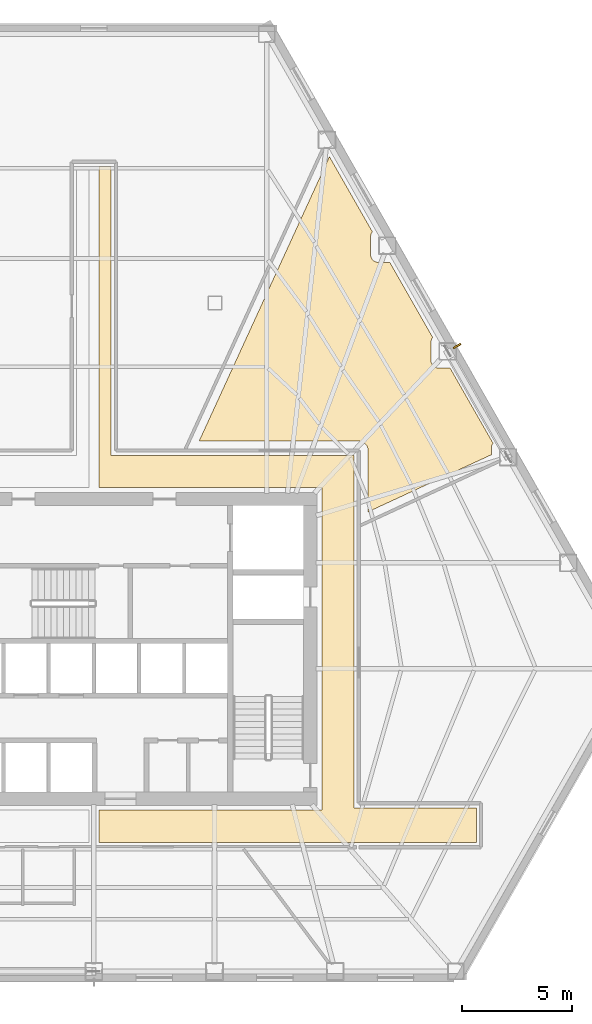
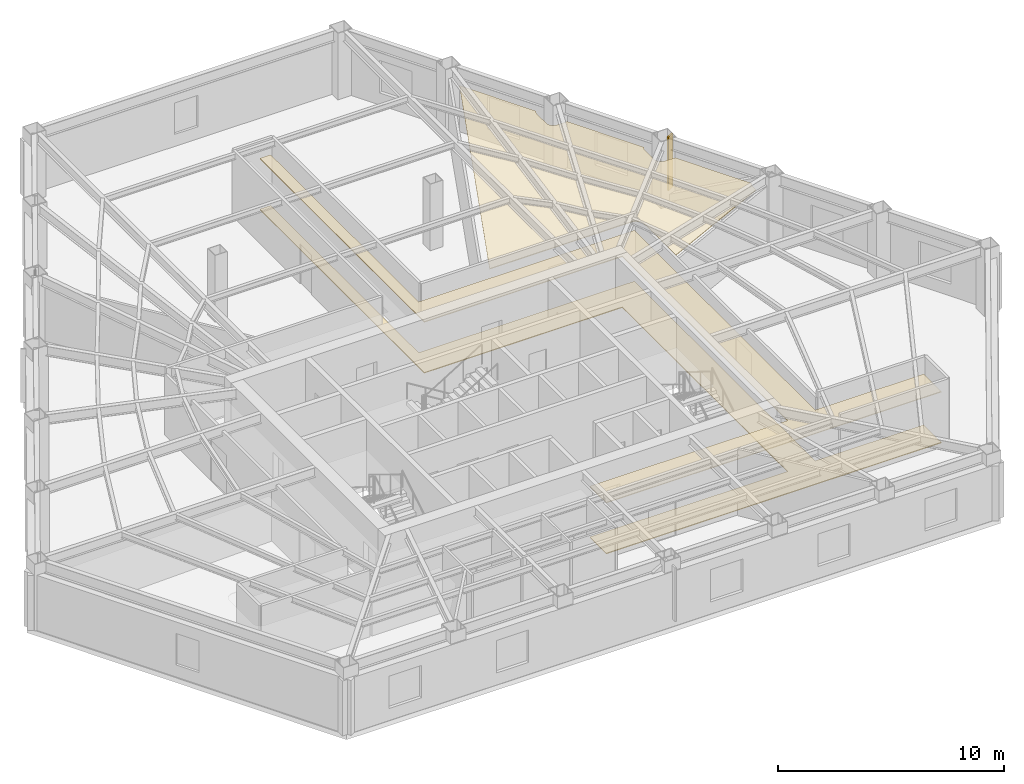
# One storey, part 11 of 11: 3 coverings, 1 shading device.
"""IFC4 building model written with IfcOpenShell, lengths in metres."""

from ifc_helpers import new_model, si_unit, direction, frame, origin, origin_2d, place, context, subcontext, project, spatial, polyline, rectangle, outline, extrude, material, layer, layer_set, type_object, element, save


model = new_model("IFC4")

# Units and contexts
model_context = context("Model", 3, precision=1e-05, world=origin(), true_north=direction((0.0, 1.0)))
body_context = subcontext(model_context, "Body", "Model", "MODEL_VIEW")
ifc_project = project(units=[si_unit("LENGTHUNIT", "METRE"), si_unit("AREAUNIT", "SQUARE_METRE"), si_unit("VOLUMEUNIT", "CUBIC_METRE"), si_unit("PLANEANGLEUNIT", "RADIAN"), si_unit("MASSUNIT", "GRAM", prefix="KILO")], contexts=[model_context])

# Site, building, storey
site_placement = place(None, origin())
site = spatial("IfcSite", under=ifc_project, at=site_placement, CompositionType="ELEMENT")
building_placement = place(site_placement, origin())
building = spatial("IfcBuilding", under=site, at=building_placement, Name="Kavelnor Concourse Tower", CompositionType="ELEMENT")
storey_placement = place(building_placement, frame((0.0, 0.0, 25.25)))
storey = spatial("IfcBuildingStorey", under=building, at=storey_placement, Name="L06", CompositionType="ELEMENT", Elevation=25.25)

# Coverings
ifc_material_1 = material(Name="Mineral fibre acoustic ceiling tile")
ifc_layer_1 = layer(ifc_material_1, 0.0400390625, Name="Mineral fibre acoustic ceiling tile")
ifc_layer_set_1 = layer_set([ifc_layer_1], Name="Mineral fibre acoustic ceiling tile")
covering_type_1 = type_object("IfcCoveringType", Name="COV-CEILING-ACOUSTIC", PredefinedType="CEILING", material=ifc_layer_set_1)
covering_1_placement = place(storey_placement, frame((0.0, 0.0, 2.75)))
element("IfcCovering", 1, at=covering_1_placement, inside=storey, type_object=covering_type_1, Name="L06 Suspended Acoustic Ceiling", PredefinedType="CEILING", context=body_context, shape_type="SweptSolid", body=[
    extrude(outline(polyline([(38.780029296875, 37.97998046875), (38.780029296875, 24.8798828125), (49.800048828125, 24.8798828125), (49.800048828125, 8.8798828125), (55.349609375, 8.8798828125), (55.349609375, 7.320068359375), (38.22509765625, 7.320068359375), (38.22509765625, 8.780029296875), (48.340087890625, 8.780029296875), (48.340087890625, 23.419921875), (38.22509765625, 23.419921875), (38.22509765625, 37.97998046875), (38.780029296875, 37.97998046875)])), origin(), (0.0, 0.0, 1.0), 0.0400390625),
])
covering_2_placement = place(storey_placement, frame((0.0, 0.0, 2.75)))
element("IfcCovering", 2, at=covering_2_placement, inside=storey, type_object=covering_type_1, Name="L06 Suspended Acoustic Ceiling", PredefinedType="CEILING", context=body_context, shape_type="SweptSolid", body=[
    extrude(outline(polyline([(50.44091796875, 25.1416015625), (50.434814453125, 25.1826171875), (50.4248046875, 25.222900390625), (50.41064453125, 25.26171875), (50.39306640625, 25.29931640625), (50.37158203125, 25.3349609375), (50.346923828125, 25.368408203125), (50.319091796875, 25.39892578125), (50.288330078125, 25.427001953125), (50.2548828125, 25.45166015625), (50.219482421875, 25.472900390625), (50.181884765625, 25.49072265625), (50.142822265625, 25.504638671875), (50.1025390625, 25.514892578125), (50.0615234375, 25.52099609375), (50.0283203125, 25.5224609375), (42.77294921875, 25.5224609375), (48.685791015625, 38.430419921875), (48.689208984375, 38.430419921875), (50.635498046875, 35.020263671875), (50.615966796875, 34.993896484375), (50.59765625, 34.963623046875), (50.58251953125, 34.931640625), (50.57080078125, 34.898193359375), (50.56201171875, 34.864013671875), (50.556884765625, 34.8291015625), (50.5556640625, 34.802001953125), (50.5556640625, 33.9853515625), (50.556884765625, 33.95849609375), (50.56201171875, 33.92333984375), (50.57080078125, 33.88916015625), (50.58251953125, 33.855712890625), (50.59765625, 33.82373046875), (50.615966796875, 33.79345703125), (50.636962890625, 33.76513671875), (50.660888671875, 33.739013671875), (50.68701171875, 33.715087890625), (50.71533203125, 33.694091796875), (50.74560546875, 33.67578125), (50.777587890625, 33.66064453125), (50.81103515625, 33.648681640625), (50.84521484375, 33.64013671875), (50.88037109375, 33.635009765625), (50.9072265625, 33.6337890625), (51.427001953125, 33.6337890625), (53.37353515625, 30.223388671875), (53.35400390625, 30.197021484375), (53.335693359375, 30.166748046875), (53.320556640625, 30.134765625), (53.30859375, 30.101318359375), (53.300048828125, 30.067138671875), (53.294921875, 30.031982421875), (53.293701171875, 30.005126953125), (53.293701171875, 29.1884765625), (53.294921875, 29.16162109375), (53.300048828125, 29.12646484375), (53.30859375, 29.09228515625), (53.320556640625, 29.058837890625), (53.335693359375, 29.02685546875), (53.35400390625, 28.99658203125), (53.375, 28.96826171875), (53.398681640625, 28.94189453125), (53.425048828125, 28.918212890625), (53.453369140625, 28.897216796875), (53.483642578125, 28.87890625), (53.515625, 28.86376953125), (53.549072265625, 28.851806640625), (53.583251953125, 28.84326171875), (53.618408203125, 28.838134765625), (53.645263671875, 28.8369140625), (54.164794921875, 28.8369140625), (56.111328125, 25.426513671875), (56.091796875, 25.400146484375), (56.073486328125, 25.369873046875), (56.05859375, 25.337890625), (56.046630859375, 25.304443359375), (56.0380859375, 25.270263671875), (56.03271484375, 25.235107421875), (56.031494140625, 25.208251953125), (56.031494140625, 24.905517578125), (50.4423828125, 22.31787109375), (50.4423828125, 25.1083984375), (50.44091796875, 25.1416015625)])), origin(), (0.0, 0.0, 1.0), 0.0400390625),
])
ifc_material_2 = material(Name="Honed bluestone and raised access floor finish", Category="masonry")
ifc_layer_2 = layer(ifc_material_2, 0.0400390625, Name="Honed bluestone and raised access floor finish")
ifc_layer_set_2 = layer_set([ifc_layer_2], Name="Honed bluestone and raised access floor finish")
covering_type_2 = type_object("IfcCoveringType", Name="COV-FLOOR-STONE", PredefinedType="FLOORING", material=ifc_layer_set_2)
covering_3_placement = place(storey_placement, frame((0.0, 0.0, 0.001953125)))
element("IfcCovering", 3, at=covering_3_placement, inside=storey, type_object=covering_type_2, Name="L06 Honed Bluestone Floor Finish", PredefinedType="FLOORING", context=body_context, shape_type="SweptSolid", body=[
    extrude(outline(polyline([(38.780029296875, 37.97998046875), (38.780029296875, 24.8798828125), (49.800048828125, 24.8798828125), (49.800048828125, 8.8798828125), (55.349609375, 8.8798828125), (55.349609375, 7.320068359375), (38.22509765625, 7.320068359375), (38.22509765625, 8.780029296875), (48.340087890625, 8.780029296875), (48.340087890625, 23.419921875), (38.22509765625, 23.419921875), (38.22509765625, 37.97998046875), (38.780029296875, 37.97998046875)])), origin(), (0.0, 0.0, 1.0), 0.0400390625),
])

# Shading device
ifc_material_3 = material(Name="Architectural bronze-anodised aluminium", Category="aluminium")
ifc_layer_3 = layer(ifc_material_3, 0.06005859375, Name="Architectural bronze-anodised aluminium")
ifc_layer_set_3 = layer_set([ifc_layer_3], Name="Architectural bronze-anodised aluminium")
shading_device_type = type_object("IfcShadingDeviceType", Name="SHD-SOLAR-FIN", PredefinedType="JALOUSIE", material=ifc_layer_set_3)
shading_device_placement = place(storey_placement, frame((54.47900390625, 29.839599609375, 0.400146484375), z_axis=(0.0, 0.0, 1.0), x_axis=(0.86845851382, 0.495761847839, 0.0)))
element("IfcShadingDevice", 4, at=shading_device_placement, inside=storey, type_object=shading_device_type, Name="L06 Bronze Pier Solar Fin F2", PredefinedType="JALOUSIE", context=body_context, shape_type="SweptSolid", body=[
    extrude(rectangle(XDim=0.3798828125, YDim=0.080078125, at=origin_2d()), origin(), (0.0, 0.0, 1.0), 2.89990234375),
])

save(model, "model.ifc")
